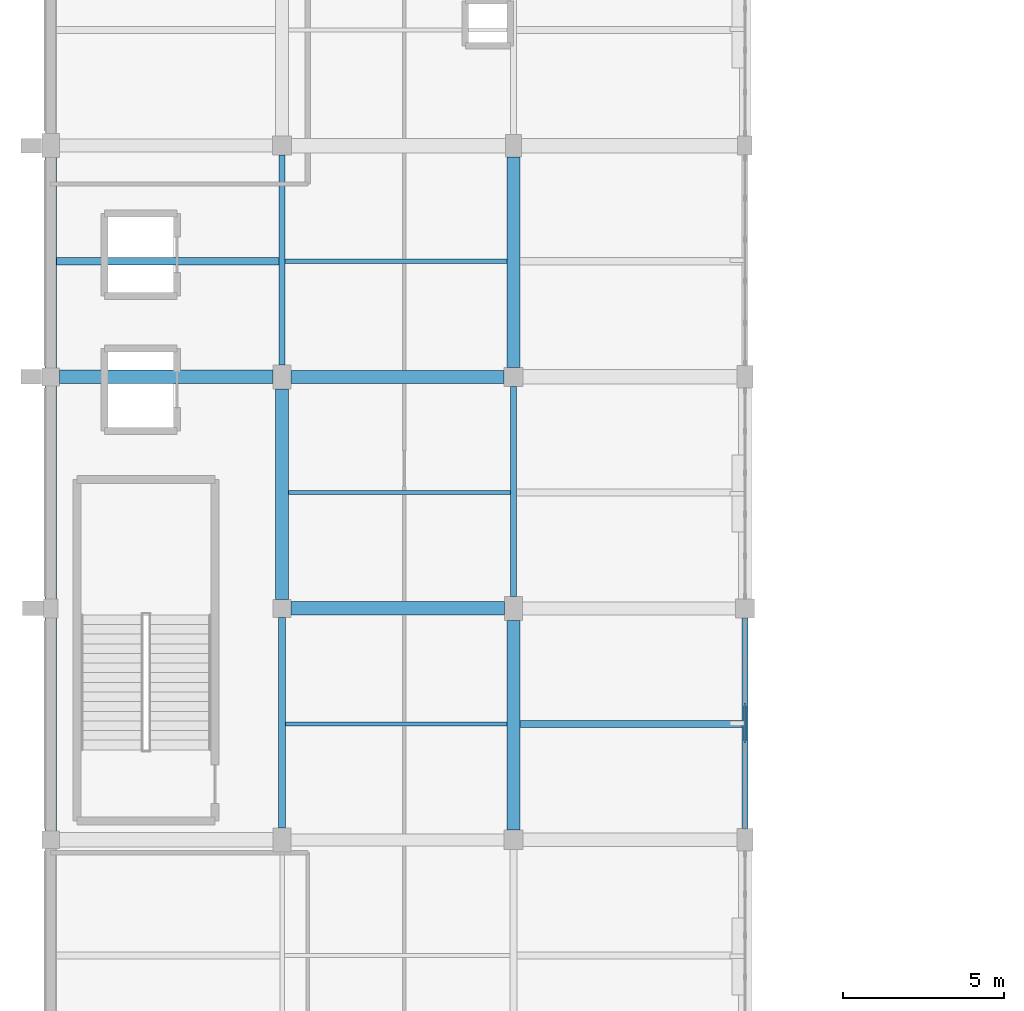
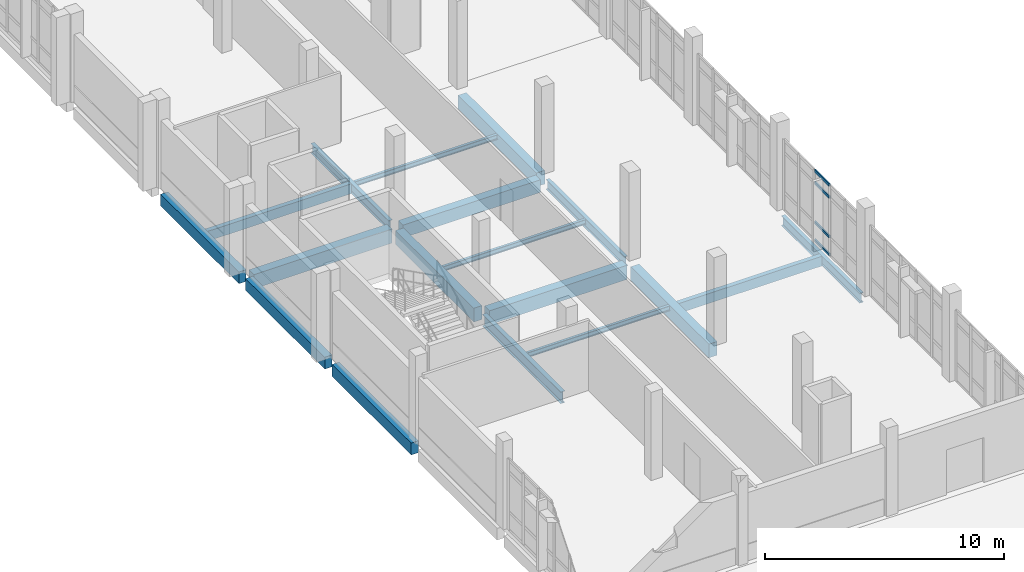
# One storey, part 10 of 57: 18 beams, 4 members, 1 element without a shape of its own.
"""IFC4 building model written with IfcOpenShell, lengths in metres."""

from ifc_helpers import new_model, si_unit, direction, frame, origin, origin_2d, place, context, subcontext, project, spatial, rectangle, hollow_rectangle, i_section, extrude, material, material_profile, profile_set, type_object, element, aggregate, save


model = new_model("IFC4")

# Units and contexts
model_context = context("Model", 3, precision=1e-05, world=origin(), true_north=direction((0.0, 1.0)))
body_context = subcontext(model_context, "Body", "Model", "MODEL_VIEW")
ifc_project = project(units=[si_unit("LENGTHUNIT", "METRE"), si_unit("AREAUNIT", "SQUARE_METRE"), si_unit("VOLUMEUNIT", "CUBIC_METRE"), si_unit("PLANEANGLEUNIT", "RADIAN"), si_unit("MASSUNIT", "GRAM", prefix="KILO")], contexts=[model_context])

# Site, building, storey
site_placement = place(None, origin())
site = spatial("IfcSite", under=ifc_project, at=site_placement, CompositionType="ELEMENT")
building_placement = place(site_placement, origin())
building = spatial("IfcBuilding", under=site, at=building_placement, Name="Kalluvel Institute of Natural Sciences", CompositionType="ELEMENT")
storey_placement = place(building_placement, frame((0.0, 0.0, 23.39990234375)))
storey = spatial("IfcBuildingStorey", under=building, at=storey_placement, Name="L05", CompositionType="ELEMENT", Elevation=23.39990234375)

# Beams
ifc_material_1 = material(Name="Steel E350 Grade 350", Category="steel")
ifc_material_profile_1 = material_profile(ifc_material_1, i_section(OverallWidth=0.179931640625, OverallDepth=0.5, WebThickness=0.01025390625, FlangeThickness=0.01708984375, FilletRadius=0.01708984375, at=origin_2d()), Name="ISMB 500")
ifc_profile_set_1 = profile_set([ifc_material_profile_1], Name="Steel E350 Grade 350")
beam_type_1 = type_object("IfcBeamType", Name="BM-ISMB500", PredefinedType="BEAM", material=ifc_profile_set_1)
beam_1_placement = place(storey_placement, frame((21.199951171875, 57.574951171875, -0.5498046875), z_axis=(0.0, 1.0, 0.0), x_axis=(-1.0, 0.0, 0.0)))
element("IfcBeam", 1, at=beam_1_placement, inside=storey, type_object=beam_type_1, Name="L05 girder GIR-L05-NS-X212-Y572", PredefinedType="BEAM", context=body_context, shape_type="SweptSolid", body=[
    extrude(i_section(OverallWidth=0.179931640625, OverallDepth=0.5, WebThickness=0.01025390625, FlangeThickness=0.01708984375, FilletRadius=0.01708984375, at=origin_2d()), origin(), (0.0, 0.0, 1.0), 6.525146484375),
])
beam_2_placement = place(storey_placement, frame((28.39990234375, 50.375, -0.5498046875), z_axis=(0.0, 1.0, 0.0), x_axis=(-1.0, 0.0, 0.0)))
element("IfcBeam", 2, at=beam_2_placement, inside=storey, type_object=beam_type_1, Name="L05 girder GIR-L05-NS-X284-Y500", PredefinedType="BEAM", context=body_context, shape_type="SweptSolid", body=[
    extrude(i_section(OverallWidth=0.179931640625, OverallDepth=0.5, WebThickness=0.01025390625, FlangeThickness=0.01708984375, FilletRadius=0.01708984375, at=origin_2d()), origin(), (0.0, 0.0, 1.0), 6.52490234375),
])
beam_3_placement = place(storey_placement, frame((35.60009765625, 43.14990234375, -0.5498046875), z_axis=(0.0, 1.0, 0.0), x_axis=(-1.0, 0.0, 0.0)))
element("IfcBeam", 3, at=beam_3_placement, inside=storey, type_object=beam_type_1, Name="L05 girder GIR-L05-NS-X356-Y428", PredefinedType="BEAM", context=body_context, shape_type="SweptSolid", body=[
    extrude(i_section(OverallWidth=0.179931640625, OverallDepth=0.5, WebThickness=0.01025390625, FlangeThickness=0.01708984375, FilletRadius=0.01708984375, at=origin_2d()), origin(), (0.0, 0.0, 1.0), 6.550048828125),
])
ifc_material_profile_2 = material_profile(ifc_material_1, i_section(OverallWidth=0.2099609375, OverallDepth=0.60009765625, WebThickness=0.011962890625, FlangeThickness=0.020751953125, FilletRadius=0.02001953125, at=origin_2d()), Name="ISMB 600")
ifc_profile_set_2 = profile_set([ifc_material_profile_2], Name="Steel E350 Grade 350")
beam_type_2 = type_object("IfcBeamType", Name="BM-ISMB600", PredefinedType="BEAM", material=ifc_profile_set_2)
beam_4_placement = place(storey_placement, frame((21.199951171875, 43.175048828125, -0.599853515625), z_axis=(0.0, 1.0, 0.0), x_axis=(-1.0, 0.0, 0.0)))
element("IfcBeam", 4, at=beam_4_placement, inside=storey, type_object=beam_type_2, Name="L05 girder GIR-L05-NS-X212-Y428", PredefinedType="BEAM", context=body_context, shape_type="SweptSolid", body=[
    extrude(i_section(OverallWidth=0.2099609375, OverallDepth=0.60009765625, WebThickness=0.011962890625, FlangeThickness=0.020751953125, FilletRadius=0.02001953125, at=origin_2d()), origin(), (0.0, 0.0, 1.0), 6.550048828125),
])
ifc_material_2 = material(Name="Concrete M40", Category="concrete")
ifc_material_profile_3 = material_profile(ifc_material_2, rectangle(XDim=0.39990234375, YDim=0.64990234375, at=origin_2d()), Name="RCB 400x650")
ifc_profile_set_3 = profile_set([ifc_material_profile_3], Name="Concrete M40")
beam_type_3 = type_object("IfcBeamType", Name="BM-RC400x650", PredefinedType="BEAM", material=ifc_profile_set_3)
beam_5_placement = place(storey_placement, frame((21.47509765625, 57.199951171875, -0.625), z_axis=(1.0, 0.0, 0.0), x_axis=(0.0, 1.0, 0.0)))
element("IfcBeam", 5, at=beam_5_placement, inside=storey, type_object=beam_type_3, Name="L05 girder GIR-L05-EW-X212-Y572", PredefinedType="BEAM", context=body_context, shape_type="SweptSolid", body=[
    extrude(rectangle(XDim=0.39990234375, YDim=0.64990234375, at=origin_2d()), origin(), (0.0, 0.0, 1.0), 6.625),
])
ifc_material_profile_4 = material_profile(ifc_material_2, rectangle(XDim=0.39990234375, YDim=0.699951171875, at=origin_2d()), Name="RCB 400x700")
ifc_profile_set_4 = profile_set([ifc_material_profile_4], Name="Concrete M40")
beam_type_4 = type_object("IfcBeamType", Name="BM-RC400x700", PredefinedType="BEAM", material=ifc_profile_set_4)
beam_6_placement = place(storey_placement, frame((21.199951171875, 50.27490234375, -0.64990234375), z_axis=(0.0, 1.0, 0.0), x_axis=(-1.0, 0.0, 0.0)))
element("IfcBeam", 6, at=beam_6_placement, inside=storey, type_object=beam_type_4, Name="L05 girder GIR-L05-NS-X212-Y500", PredefinedType="BEAM", context=body_context, shape_type="SweptSolid", body=[
    extrude(rectangle(XDim=0.39990234375, YDim=0.699951171875, at=origin_2d()), origin(), (0.0, 0.0, 1.0), 6.550048828125),
])
beam_7_placement = place(storey_placement, frame((28.39990234375, 43.10009765625, -0.64990234375), z_axis=(0.0, 1.0, 0.0), x_axis=(-1.0, 0.0, 0.0)))
element("IfcBeam", 7, at=beam_7_placement, inside=storey, type_object=beam_type_4, Name="L05 girder GIR-L05-NS-X284-Y428", PredefinedType="BEAM", context=body_context, shape_type="SweptSolid", body=[
    extrude(rectangle(XDim=0.39990234375, YDim=0.699951171875, at=origin_2d()), origin(), (0.0, 0.0, 1.0), 6.52490234375),
])
beam_8_placement = place(storey_placement, frame((28.39990234375, 57.5, -0.64990234375), z_axis=(0.0, 1.0, 0.0), x_axis=(-1.0, 0.0, 0.0)))
element("IfcBeam", 8, at=beam_8_placement, inside=storey, type_object=beam_type_4, Name="L05 girder GIR-L05-NS-X284-Y572", PredefinedType="BEAM", context=body_context, shape_type="SweptSolid", body=[
    extrude(rectangle(XDim=0.39990234375, YDim=0.699951171875, at=origin_2d()), origin(), (0.0, 0.0, 1.0), 6.550048828125),
])
ifc_material_profile_5 = material_profile(ifc_material_2, rectangle(XDim=0.419921875, YDim=0.719970703125, at=origin_2d()), Name="RCB 420x720")
ifc_profile_set_5 = profile_set([ifc_material_profile_5], Name="Concrete M40")
beam_type_5 = type_object("IfcBeamType", Name="BM-RC420x720", PredefinedType="BEAM", material=ifc_profile_set_5)
beam_9_placement = place(storey_placement, frame((21.47509765625, 50.0, -0.659912109375), z_axis=(1.0, 0.0, 0.0), x_axis=(0.0, 1.0, 0.0)))
element("IfcBeam", 9, at=beam_9_placement, inside=storey, type_object=beam_type_5, Name="L05 girder GIR-L05-EW-X212-Y500", PredefinedType="BEAM", context=body_context, shape_type="SweptSolid", body=[
    extrude(rectangle(XDim=0.419921875, YDim=0.719970703125, at=origin_2d()), origin(), (0.0, 0.0, 1.0), 6.64990234375),
])
beam_10_placement = place(storey_placement, frame((14.27490234375, 57.199951171875, -0.659912109375), z_axis=(1.0, 0.0, 0.0), x_axis=(0.0, 1.0, 0.0)))
element("IfcBeam", 10, at=beam_10_placement, inside=storey, type_object=beam_type_5, Name="L05 girder GIR-L05-EW-X140-Y572", PredefinedType="BEAM", context=body_context, shape_type="SweptSolid", body=[
    extrude(rectangle(XDim=0.419921875, YDim=0.719970703125, at=origin_2d()), origin(), (0.0, 0.0, 1.0), 6.650146484375),
])

# Curtain wall, members
ifc_material_3 = material(Name="Aluminium AW-6063 T6", Category="aluminium")
curtain_wall_type = type_object("IfcCurtainWallType", Name="CW-DRY-45", PredefinedType="USERDEFINED", material=ifc_material_3)
curtain_wall_placement = place(storey_placement, origin())
curtain_wall = element("IfcCurtainWall", 11, at=curtain_wall_placement, inside=storey, type_object=curtain_wall_type, Name="L05 Gothic lancet curtain wall CWA-L05-X356-Y432", ObjectType="UNITISED LANCET FACADE", PredefinedType="USERDEFINED")
ifc_material_profile_6 = material_profile(ifc_material_3, hollow_rectangle(XDim=0.06494140625, YDim=0.139892578125, WallThickness=0.00439453125, at=origin_2d()), Name="CWT 65x140")
ifc_profile_set_6 = profile_set([ifc_material_profile_6], Name="Aluminium AW-6063 T6")
member_type = type_object("IfcMemberType", Name="CWT-65x140", PredefinedType="USERDEFINED", material=ifc_profile_set_6)
member_1_placement = place(storey_placement, frame((35.60009765625, 45.8125, 0.03271484375), z_axis=(0.0, 1.0, 0.0), x_axis=(-1.0, 0.0, 0.0)))
member_1 = element("IfcMember", 12, at=member_1_placement, type_object=member_type, Name="CW-03 transom 3.1", ObjectType="TRANSOM", PredefinedType="USERDEFINED", context=body_context, shape_type="SweptSolid", body=[
    extrude(hollow_rectangle(XDim=0.06494140625, YDim=0.139892578125, WallThickness=0.00439453125, at=origin_2d()), origin(), (0.0, 0.0, 1.0), 1.22509765625),
])
member_2_placement = place(storey_placement, frame((35.60009765625, 45.8125, 0.9501953125), z_axis=(0.0, 1.0, 0.0), x_axis=(-1.0, 0.0, 0.0)))
member_2 = element("IfcMember", 13, at=member_2_placement, type_object=member_type, Name="CW-03 transom 3.2", ObjectType="TRANSOM", PredefinedType="USERDEFINED", context=body_context, shape_type="SweptSolid", body=[
    extrude(hollow_rectangle(XDim=0.06494140625, YDim=0.139892578125, WallThickness=0.00439453125, at=origin_2d()), origin(), (0.0, 0.0, 1.0), 1.22509765625),
])
member_3_placement = place(storey_placement, frame((35.60009765625, 45.8125, 2.97021484375), z_axis=(0.0, 1.0, 0.0), x_axis=(-1.0, 0.0, 0.0)))
member_3 = element("IfcMember", 14, at=member_3_placement, type_object=member_type, Name="CW-03 transom 3.3", ObjectType="TRANSOM", PredefinedType="USERDEFINED", context=body_context, shape_type="SweptSolid", body=[
    extrude(hollow_rectangle(XDim=0.06494140625, YDim=0.139892578125, WallThickness=0.00439453125, at=origin_2d()), origin(), (0.0, 0.0, 1.0), 1.22509765625),
])
member_4_placement = place(storey_placement, frame((35.60009765625, 45.8125, 3.587646484375), z_axis=(0.0, 1.0, 0.0), x_axis=(-1.0, 0.0, 0.0)))
member_4 = element("IfcMember", 15, at=member_4_placement, type_object=member_type, Name="CW-03 transom 3.4", ObjectType="TRANSOM", PredefinedType="USERDEFINED", context=body_context, shape_type="SweptSolid", body=[
    extrude(hollow_rectangle(XDim=0.06494140625, YDim=0.139892578125, WallThickness=0.00439453125, at=origin_2d()), origin(), (0.0, 0.0, 1.0), 1.22509765625),
])
aggregate(curtain_wall, [member_1, member_2, member_3, member_4])

# Beams
ifc_material_profile_7 = material_profile(ifc_material_2, rectangle(XDim=0.35009765625, YDim=0.60009765625, at=origin_2d()), Name="RCB 350x600")
ifc_profile_set_7 = profile_set([ifc_material_profile_7], Name="Concrete M40")
beam_type_6 = type_object("IfcBeamType", Name="SP-RC350x600", PredefinedType="SPANDREL", material=ifc_profile_set_7)
for number, where, z_axis, x_axis, name in (
    (16, (14.0, 43.074951171875, -0.599853515625), (0.0, 1.0, 0.0), (-1.0, 0.0, 0.0), "L05 girder GIR-L05-NS-X140-Y428"),
    (17, (14.0, 50.300048828125, -0.599853515625), (0.0, 1.0, 0.0), (-1.0, 0.0, 0.0), "L05 girder GIR-L05-NS-X140-Y500"),
):
    element("IfcBeam", number, at=place(storey_placement, frame(where, z_axis=z_axis, x_axis=x_axis)), inside=storey, type_object=beam_type_6, Name=name, PredefinedType="SPANDREL", context=body_context, shape_type="SweptSolid", body=[
        extrude(rectangle(XDim=0.35009765625, YDim=0.60009765625, at=origin_2d()), origin(), (0.0, 0.0, 1.0), 6.625),
    ])
beam_11_placement = place(storey_placement, frame((14.0, 57.47509765625, -0.599853515625), z_axis=(0.0, 1.0, 0.0), x_axis=(-1.0, 0.0, 0.0)))
element("IfcBeam", 18, at=beam_11_placement, inside=storey, type_object=beam_type_6, Name="L05 girder GIR-L05-NS-X140-Y572", PredefinedType="SPANDREL", context=body_context, shape_type="SweptSolid", body=[
    extrude(rectangle(XDim=0.35009765625, YDim=0.60009765625, at=origin_2d()), origin(), (0.0, 0.0, 1.0), 6.5498046875),
])
ifc_material_profile_8 = material_profile(ifc_material_2, rectangle(XDim=0.219970703125, YDim=0.5, at=origin_2d()), Name="WAF 220x500")
ifc_profile_set_8 = profile_set([ifc_material_profile_8], Name="Concrete M40")
beam_type_7 = type_object("IfcBeamType", Name="WJ-220x500", PredefinedType="JOIST", material=ifc_profile_set_8)
beam_12_placement = place(storey_placement, frame((28.60009765625, 46.39990234375, -0.5498046875), z_axis=(1.0, 0.0, 0.0), x_axis=(0.0, 1.0, 0.0)))
element("IfcBeam", 19, at=beam_12_placement, inside=storey, type_object=beam_type_7, Name="L05 floor rib RIB-L05-0740", PredefinedType="JOIST", context=body_context, shape_type="SweptSolid", body=[
    extrude(rectangle(XDim=0.219970703125, YDim=0.5, at=origin_2d()), origin(), (0.0, 0.0, 1.0), 6.909912109375),
])
beam_13_placement = place(storey_placement, frame((14.175048828125, 60.800048828125, -0.5498046875), z_axis=(1.0, 0.0, 0.0), x_axis=(0.0, 1.0, 0.0)))
element("IfcBeam", 20, at=beam_13_placement, inside=storey, type_object=beam_type_7, Name="L05 floor rib RIB-L05-0743", PredefinedType="JOIST", context=body_context, shape_type="SweptSolid", body=[
    extrude(rectangle(XDim=0.219970703125, YDim=0.5, at=origin_2d()), origin(), (0.0, 0.0, 1.0), 6.93505859375),
])
ifc_material_profile_9 = material_profile(ifc_material_1, i_section(OverallWidth=0.125, OverallDepth=0.25, WebThickness=0.0068359375, FlangeThickness=0.012451171875, FilletRadius=0.012939453125, at=origin_2d()), Name="ISMB 250")
ifc_profile_set_9 = profile_set([ifc_material_profile_9], Name="Steel E350 Grade 350")
beam_type_8 = type_object("IfcBeamType", Name="WJ-ISMB250", PredefinedType="JOIST", material=ifc_profile_set_9)
beam_14_placement = place(storey_placement, frame((21.304931640625, 46.39990234375, -0.4248046875), z_axis=(1.0, 0.0, 0.0), x_axis=(0.0, 1.0, 0.0)))
element("IfcBeam", 21, at=beam_14_placement, inside=storey, type_object=beam_type_8, Name="L05 floor rib RIB-L05-0739", PredefinedType="JOIST", context=body_context, shape_type="SweptSolid", body=[
    extrude(i_section(OverallWidth=0.125, OverallDepth=0.25, WebThickness=0.0068359375, FlangeThickness=0.012451171875, FilletRadius=0.012939453125, at=origin_2d()), origin(), (0.0, 0.0, 1.0), 6.89501953125),
])
beam_15_placement = place(storey_placement, frame((21.39990234375, 53.60009765625, -0.4248046875), z_axis=(1.0, 0.0, 0.0), x_axis=(0.0, 1.0, 0.0)))
element("IfcBeam", 22, at=beam_15_placement, inside=storey, type_object=beam_type_8, Name="L05 floor rib RIB-L05-0741", PredefinedType="JOIST", context=body_context, shape_type="SweptSolid", body=[
    extrude(i_section(OverallWidth=0.125, OverallDepth=0.25, WebThickness=0.0068359375, FlangeThickness=0.012451171875, FilletRadius=0.012939453125, at=origin_2d()), origin(), (0.0, 0.0, 1.0), 6.91015625),
])
beam_16_placement = place(storey_placement, frame((21.2900390625, 60.800048828125, -0.4248046875), z_axis=(1.0, 0.0, 0.0), x_axis=(0.0, 1.0, 0.0)))
element("IfcBeam", 23, at=beam_16_placement, inside=storey, type_object=beam_type_8, Name="L05 floor rib RIB-L05-0744", PredefinedType="JOIST", context=body_context, shape_type="SweptSolid", body=[
    extrude(i_section(OverallWidth=0.125, OverallDepth=0.25, WebThickness=0.0068359375, FlangeThickness=0.012451171875, FilletRadius=0.012939453125, at=origin_2d()), origin(), (0.0, 0.0, 1.0), 6.909912109375),
])

save(model, "model.ifc")
